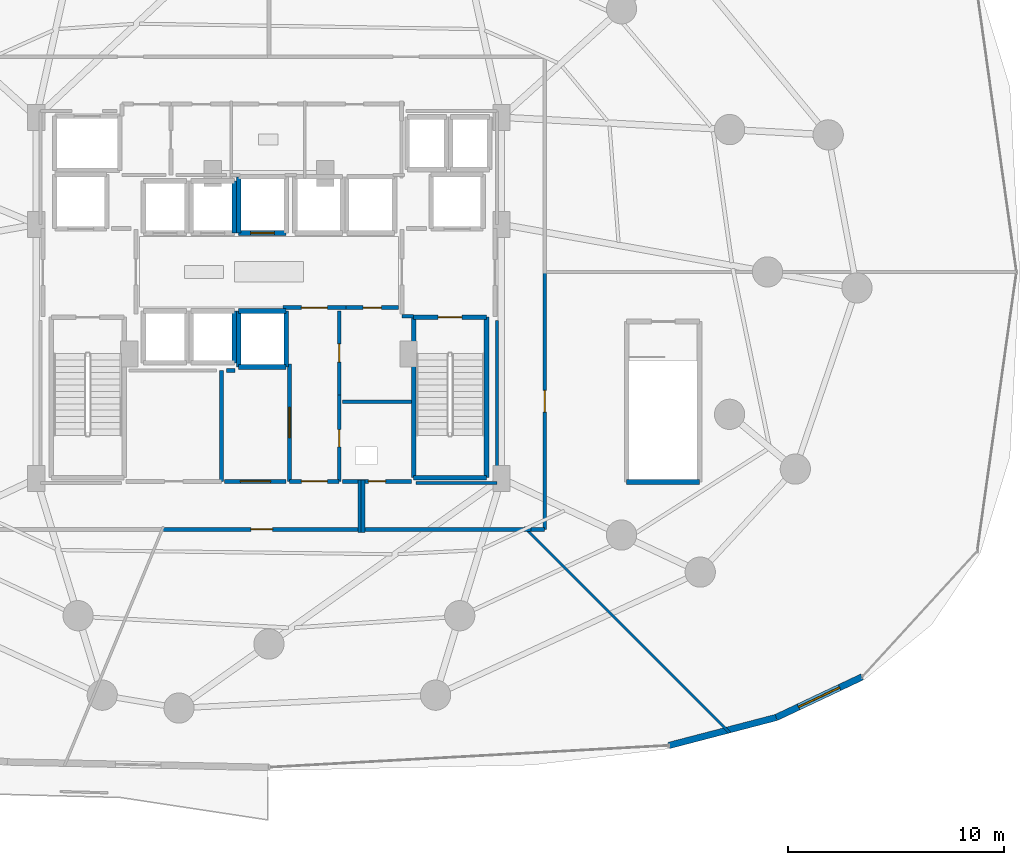
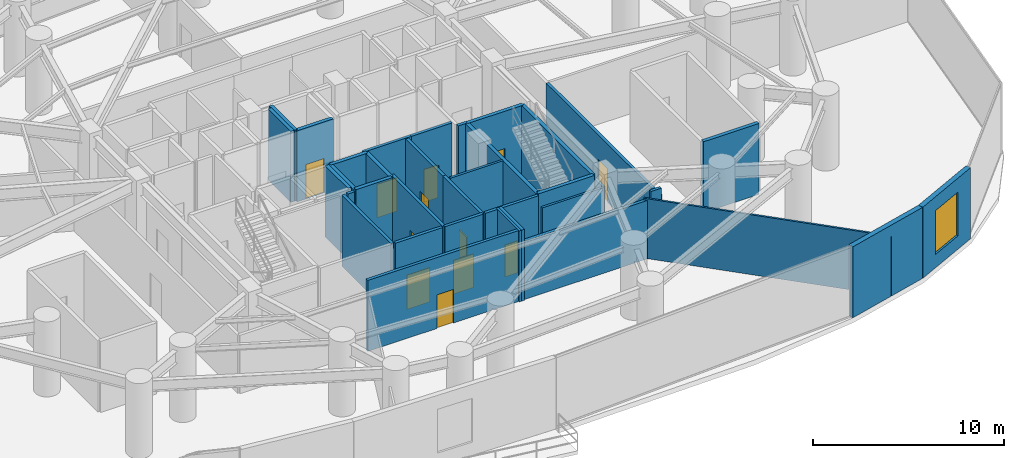
# One storey, part 27 of 32: 36 walls, 12 doors, 1 window, 13 openings.
"""IFC4 building model written with IfcOpenShell, lengths in metres."""

from ifc_helpers import new_model, si_unit, direction, frame, frame_2d, origin, place, context, subcontext, project, spatial, rectangle, extrude, material, layer, layer_set, type_object, element, fill, save


model = new_model("IFC4")

# Units and contexts
model_context = context("Model", 3, precision=1e-05, world=origin(), true_north=direction((0.0, 1.0)))
body_context = subcontext(model_context, "Body", "Model", "MODEL_VIEW")
ifc_project = project(units=[si_unit("LENGTHUNIT", "METRE"), si_unit("AREAUNIT", "SQUARE_METRE"), si_unit("VOLUMEUNIT", "CUBIC_METRE"), si_unit("PLANEANGLEUNIT", "RADIAN"), si_unit("MASSUNIT", "GRAM", prefix="KILO")], contexts=[model_context])

# Site, building, storey
site_placement = place(None, origin())
site = spatial("IfcSite", under=ifc_project, at=site_placement, CompositionType="ELEMENT")
building_placement = place(site_placement, origin())
building = spatial("IfcBuilding", under=site, at=building_placement, Name="Vorneva Point Tower", CompositionType="ELEMENT")
storey_placement = place(building_placement, frame((0.0, 0.0, 19.199951171875)))
storey = spatial("IfcBuildingStorey", under=building, at=storey_placement, Name="L04", CompositionType="ELEMENT", Elevation=19.199951171875)

# Wall
ifc_material_1 = material(Name="Precast concrete B50 (C40/50)", Category="concrete")
ifc_layer_1 = layer(ifc_material_1, 0.300048828125)
ifc_layer_set_1 = layer_set([ifc_layer_1], Name="Precast concrete B50 (C40/50)")
wall_type_1 = type_object("IfcWallType", Name="WL-EXT-300", PredefinedType="STANDARD", material=ifc_layer_set_1)
wall_1_placement = place(storey_placement, frame((56.482421875, 4.107177734375, 0.0), z_axis=(0.0, 0.0, 1.0), x_axis=(0.967631926566, 0.252365716155, 0.0)))
element("IfcWall", 1, at=wall_1_placement, inside=storey, type_object=wall_type_1, Name="L04 Pale-Metal Facade Spandrel Wall 14.1", PredefinedType="STANDARD", context=body_context, shape_type="SweptSolid", body=[
    extrude(rectangle(XDim=5.130126953125, YDim=0.300048828125, at=frame_2d((2.56494140625, 0.0))), origin(), (0.0, 0.0, 1.0), 4.5400390625),
])

# Wall, opening, window
wall_2_placement = place(storey_placement, frame((61.446533203125, 5.40185546875, 0.0), z_axis=(0.0, 0.0, 1.0), x_axis=(0.904206917273, 0.427094662523, 0.0)))
wall_2 = element("IfcWall", 2, at=wall_2_placement, inside=storey, type_object=wall_type_1, Name="L04 Pale-Metal Facade Spandrel Wall 14.2", PredefinedType="STANDARD", context=body_context, shape_type="SweptSolid", body=[
    extrude(rectangle(XDim=4.39306640625, YDim=0.300048828125, at=frame_2d((2.196533203125, 0.0))), origin(), (0.0, 0.0, 1.0), 4.5400390625),
])
opening_1_placement = place(wall_2_placement, frame((1.146484375, 0.0, 0.85009765625)))
opening_1 = element("IfcOpeningElement", 3, at=opening_1_placement, cuts=wall_2, Name="Opening W-05", PredefinedType="OPENING", context=body_context, shape_type="SweptSolid", body=[
    extrude(rectangle(XDim=2.10009765625, YDim=2.800048828125, at=frame_2d((1.050048828125, 1.39990234375))), frame((0.0, 0.1650390625, 0.0), z_axis=(0.0, -1.0, 0.0), x_axis=(1.0, 0.0, 0.0)), (0.0, 0.0, 1.0), 0.329833984375),
])
ifc_material_2 = material(Name="Double low-e laminated glass IGU", Category="glass")
window_type = type_object("IfcWindowType", Name="WN-POD-2100", PartitioningType="SINGLE_PANEL", PredefinedType="WINDOW", material=ifc_material_2)
window_placement = place(opening_1_placement, origin())
window = element("IfcWindow", 4, at=window_placement, inside=storey, type_object=window_type, Name="L04 Facade Window 14", OverallHeight=2.800048828125, OverallWidth=2.10009765625, PartitioningType="SINGLE_PANEL", PredefinedType="WINDOW", context=body_context, shape_type="SweptSolid", body=[
    extrude(rectangle(XDim=2.10009765625, YDim=2.800048828125, at=frame_2d((1.050048828125, 1.39990234375))), frame((0.0, 0.030029296875, 0.0), z_axis=(0.0, -1.0, 0.0), x_axis=(1.0, 0.0, 0.0)), (0.0, 0.0, 1.0), 0.06005859375),
])
fill(opening_1, window)

# Walls
ifc_material_3 = material(Name="Fire-rated acoustic gypsum stud partition", Category="gypsum")
ifc_layer_2 = layer(ifc_material_3, 0.110107421875)
ifc_layer_set_2 = layer_set([ifc_layer_2], Name="Fire-rated acoustic gypsum stud partition")
wall_type_2 = type_object("IfcWallType", Name="WL-PART-110", PredefinedType="PARTITIONING", material=ifc_layer_set_2)
wall_3_placement = place(storey_placement, frame((59.291015625, 4.708984375, 0.0), z_axis=(0.0, 0.0, 1.0), x_axis=(-0.707106781187, 0.707106781187, 0.0)))
element("IfcWall", 5, at=wall_3_placement, inside=storey, type_object=wall_type_2, Name="L04 Interior Partition 042", PredefinedType="PARTITIONING", context=body_context, shape_type="SweptSolid", body=[
    extrude(rectangle(XDim=13.4208984375, YDim=0.110107421875, at=frame_2d((6.71044921875, 0.0))), origin(), (0.0, 0.0, 1.0), 3.8291015625),
])
ifc_layer_3 = layer(ifc_material_3, 0.139892578125)
ifc_layer_set_3 = layer_set([ifc_layer_3], Name="Fire-rated acoustic gypsum stud partition")
wall_type_3 = type_object("IfcWallType", Name="WL-PART-140", PredefinedType="PARTITIONING", material=ifc_layer_set_3)
wall_4_placement = place(storey_placement, frame((44.60009765625, 20.0, 0.0), z_axis=(0.0, 0.0, 1.0), x_axis=(-1.0, 0.0, 0.0)))
element("IfcWall", 6, at=wall_4_placement, inside=storey, type_object=wall_type_3, Name="L04 Interior Partition 015", PredefinedType="PARTITIONING", context=body_context, shape_type="SweptSolid", body=[
    extrude(rectangle(XDim=3.2001953125, YDim=0.139892578125, at=frame_2d((1.60009765625, 0.0))), origin(), (0.0, 0.0, 1.0), 4.5400390625),
])
wall_5_placement = place(storey_placement, frame((48.550048828125, 23.75390625, 0.0), z_axis=(0.0, 0.0, 1.0), x_axis=(0.0, -1.0, 0.0)))
element("IfcWall", 7, at=wall_5_placement, inside=storey, type_object=wall_type_3, Name="L04 Interior Closure Partition 055", PredefinedType="PARTITIONING", context=body_context, shape_type="SweptSolid", body=[
    extrude(rectangle(XDim=7.513916015625, YDim=0.139892578125, at=frame_2d((3.7568359375, 0.0))), origin(), (0.0, 0.0, 1.0), 3.73193359375),
])
wall_6_placement = place(storey_placement, frame((48.550048828125, 16.239990234375, 0.0), z_axis=(0.0, 0.0, 1.0), x_axis=(-1.0, 0.0, 0.0)))
element("IfcWall", 8, at=wall_6_placement, inside=storey, type_object=wall_type_3, Name="L04 Interior Closure Partition 056", PredefinedType="PARTITIONING", context=body_context, shape_type="SweptSolid", body=[
    extrude(rectangle(XDim=3.7451171875, YDim=0.139892578125, at=frame_2d((1.87255859375, 0.0))), origin(), (0.0, 0.0, 1.0), 3.73193359375),
])
ifc_material_4 = material(Name="Autoclaved aerated concrete blockwork", Category="masonry")
ifc_layer_4 = layer(ifc_material_4, 0.179931640625)
ifc_layer_set_4 = layer_set([ifc_layer_4], Name="Autoclaved aerated concrete blockwork")
wall_type_4 = type_object("IfcWallType", Name="WL-PART-180", PredefinedType="PARTITIONING", material=ifc_layer_set_4)
wall_7_placement = place(storey_placement, frame((44.14990234375, 23.949951171875, 0.0), z_axis=(0.0, 0.0, 1.0), x_axis=(1.0, 0.0, 0.0)))
element("IfcWall", 9, at=wall_7_placement, inside=storey, type_object=wall_type_4, Name="L04 Interior Partition 004", PredefinedType="PARTITIONING", context=body_context, shape_type="SweptSolid", body=[
    extrude(rectangle(XDim=0.5400390625, YDim=0.179931640625, at=frame_2d((0.27001953125, 0.0))), origin(), (0.0, 0.0, 1.0), 4.5400390625),
])

# Wall, opening, door
wall_8_placement = place(storey_placement, frame((38.64501953125, 24.35009765625, 0.0), z_axis=(0.0, 0.0, 1.0), x_axis=(1.0, 0.0, 0.0)))
wall_8 = element("IfcWall", 10, at=wall_8_placement, inside=storey, type_object=wall_type_4, Name="L04 Interior Partition 009", PredefinedType="PARTITIONING", context=body_context, shape_type="SweptSolid", body=[
    extrude(rectangle(XDim=2.909912109375, YDim=0.179931640625, at=frame_2d((1.455078125, 0.0))), origin(), (0.0, 0.0, 1.0), 4.5400390625),
])
opening_2_placement = place(wall_8_placement, frame((0.85498046875, 0.0, 0.0)))
opening_2 = element("IfcOpeningElement", 11, at=opening_2_placement, cuts=wall_8, Name="Opening FD-02", PredefinedType="OPENING", context=body_context, shape_type="SweptSolid", body=[
    extrude(rectangle(XDim=1.199951171875, YDim=2.14990234375, at=frame_2d((0.60009765625, 1.074951171875))), frame((0.0, 0.10498046875, 0.0), z_axis=(0.0, -1.0, 0.0), x_axis=(1.0, 0.0, 0.0)), (0.0, 0.0, 1.0), 0.209716796875),
])
ifc_material_5 = material(Name="Fire-rated powder-coated steel", Category="steel")
door_type_1 = type_object("IfcDoorType", Name="DR-FFL-1200", OperationType="NOTDEFINED", PredefinedType="DOOR", material=ifc_material_5)
door_1_placement = place(opening_2_placement, origin())
door_1 = element("IfcDoor", 12, at=door_1_placement, inside=storey, type_object=door_type_1, Name="L04 Door Central Lift Lobby / Core Service Lobby", OperationType="SINGLE_SWING_RIGHT", OverallHeight=2.14990234375, OverallWidth=1.199951171875, PredefinedType="DOOR", context=body_context, shape_type="SweptSolid", body=[
    extrude(rectangle(XDim=1.199951171875, YDim=2.14990234375, at=frame_2d((0.60009765625, 1.074951171875))), frame((0.0, 0.02490234375, 0.0), z_axis=(0.0, -1.0, 0.0), x_axis=(1.0, 0.0, 0.0)), (0.0, 0.0, 1.0), 0.050048828125),
])
fill(opening_2, door_1)

wall_9_placement = place(storey_placement, frame((41.554931640625, 24.35009765625, 0.0), z_axis=(0.0, 0.0, 1.0), x_axis=(1.0, 0.0, 0.0)))
wall_9 = element("IfcWall", 13, at=wall_9_placement, inside=storey, type_object=wall_type_4, Name="L04 Interior Partition 010", PredefinedType="PARTITIONING", context=body_context, shape_type="SweptSolid", body=[
    extrude(rectangle(XDim=2.445068359375, YDim=0.179931640625, at=frame_2d((1.22265625, 0.0))), origin(), (0.0, 0.0, 1.0), 4.5400390625),
])
opening_3_placement = place(wall_9_placement, frame((0.797607421875, 0.0, 0.0)))
opening_3 = element("IfcOpeningElement", 14, at=opening_3_placement, cuts=wall_9, Name="Opening ID-02", PredefinedType="OPENING", context=body_context, shape_type="SweptSolid", body=[
    extrude(rectangle(XDim=0.85009765625, YDim=2.10009765625, at=frame_2d((0.425048828125, 1.050048828125))), frame((0.0, 0.10498046875, 0.0), z_axis=(0.0, -1.0, 0.0), x_axis=(1.0, 0.0, 0.0)), (0.0, 0.0, 1.0), 0.209716796875),
])
ifc_material_6 = material(Name="Engineered oak fire-rated door leaf", Category="wood")
door_type_2 = type_object("IfcDoorType", Name="DR-BATH-850", OperationType="NOTDEFINED", PredefinedType="DOOR", material=ifc_material_6)
door_2_placement = place(opening_3_placement, origin())
door_2 = element("IfcDoor", 15, at=door_2_placement, inside=storey, type_object=door_type_2, Name="L04 Door Central Lift Lobby / Valet and Parcel Room", OperationType="SINGLE_SWING_LEFT", OverallHeight=2.10009765625, OverallWidth=0.85009765625, PredefinedType="DOOR", context=body_context, shape_type="SweptSolid", body=[
    extrude(rectangle(XDim=0.85009765625, YDim=2.10009765625, at=frame_2d((0.425048828125, 1.050048828125))), frame((0.0, 0.02490234375, 0.0), z_axis=(0.0, -1.0, 0.0), x_axis=(1.0, 0.0, 0.0)), (0.0, 0.0, 1.0), 0.050048828125),
])
fill(opening_3, door_2)

wall_10_placement = place(storey_placement, frame((41.25, 16.320068359375, 0.0), z_axis=(0.0, 0.0, 1.0), x_axis=(0.0, 1.0, 0.0)))
wall_10 = element("IfcWall", 16, at=wall_10_placement, inside=storey, type_object=wall_type_4, Name="L04 Interior Partition 011", PredefinedType="PARTITIONING", context=body_context, shape_type="SweptSolid", body=[
    extrude(rectangle(XDim=3.98486328125, YDim=0.179931640625, at=frame_2d((1.992431640625, 0.0))), origin(), (0.0, 0.0, 1.0), 4.5400390625),
])
opening_4_placement = place(wall_10_placement, frame((1.592529296875, 0.0, 0.0)))
opening_4 = element("IfcOpeningElement", 17, at=opening_4_placement, cuts=wall_10, Name="Opening RD-01", PredefinedType="OPENING", context=body_context, shape_type="SweptSolid", body=[
    extrude(rectangle(XDim=0.800048828125, YDim=2.050048828125, at=frame_2d((0.39990234375, 1.02490234375))), frame((0.0, 0.10498046875, 0.0), z_axis=(0.0, -1.0, 0.0), x_axis=(1.0, 0.0, 0.0)), (0.0, 0.0, 1.0), 0.209716796875),
])
door_type_3 = type_object("IfcDoorType", Name="DR-RSR-800", OperationType="SINGLE_SWING_LEFT", PredefinedType="DOOR", material=ifc_material_5)
door_3_placement = place(opening_4_placement, origin())
door_3 = element("IfcDoor", 18, at=door_3_placement, inside=storey, type_object=door_type_3, Name="L04 Door Core Service Lobby / Electrical Riser", OperationType="SINGLE_SWING_RIGHT", OverallHeight=2.050048828125, OverallWidth=0.800048828125, PredefinedType="DOOR", context=body_context, shape_type="SweptSolid", body=[
    extrude(rectangle(XDim=0.800048828125, YDim=2.050048828125, at=frame_2d((0.39990234375, 1.02490234375))), frame((0.0, 0.02490234375, 0.0), z_axis=(0.0, -1.0, 0.0), x_axis=(1.0, 0.0, 0.0)), (0.0, 0.0, 1.0), 0.050048828125),
])
fill(opening_4, door_3)

wall_11_placement = place(storey_placement, frame((41.25, 20.304931640625, 0.0), z_axis=(0.0, 0.0, 1.0), x_axis=(0.0, 1.0, 0.0)))
wall_11 = element("IfcWall", 19, at=wall_11_placement, inside=storey, type_object=wall_type_4, Name="L04 Interior Partition 012", PredefinedType="PARTITIONING", context=body_context, shape_type="SweptSolid", body=[
    extrude(rectangle(XDim=3.89501953125, YDim=0.179931640625, at=frame_2d((1.947509765625, 0.0))), origin(), (0.0, 0.0, 1.0), 4.5400390625),
])
opening_5_placement = place(wall_11_placement, frame((1.5224609375, 0.0, 0.0)))
opening_5 = element("IfcOpeningElement", 20, at=opening_5_placement, cuts=wall_11, Name="Opening ID-02", PredefinedType="OPENING", context=body_context, shape_type="SweptSolid", body=[
    extrude(rectangle(XDim=0.85009765625, YDim=2.10009765625, at=frame_2d((0.425048828125, 1.050048828125))), frame((0.0, 0.10498046875, 0.0), z_axis=(0.0, -1.0, 0.0), x_axis=(1.0, 0.0, 0.0)), (0.0, 0.0, 1.0), 0.209716796875),
])
door_4_placement = place(opening_5_placement, origin())
door_4 = element("IfcDoor", 21, at=door_4_placement, inside=storey, type_object=door_type_2, Name="L04 Door Core Service Lobby / Valet and Parcel Room", OperationType="SINGLE_SWING_LEFT", OverallHeight=2.10009765625, OverallWidth=0.85009765625, PredefinedType="DOOR", context=body_context, shape_type="SweptSolid", body=[
    extrude(rectangle(XDim=0.85009765625, YDim=2.10009765625, at=frame_2d((0.425048828125, 1.050048828125))), frame((0.0, 0.02490234375, 0.0), z_axis=(0.0, -1.0, 0.0), x_axis=(1.0, 0.0, 0.0)), (0.0, 0.0, 1.0), 0.050048828125),
])
fill(opening_5, door_4)

wall_12_placement = place(storey_placement, frame((38.949951171875, 21.7548828125, 0.0), z_axis=(0.0, 0.0, 1.0), x_axis=(0.0, -1.0, 0.0)))
wall_12 = element("IfcWall", 22, at=wall_12_placement, inside=storey, type_object=wall_type_4, Name="L04 Interior Partition 013", PredefinedType="PARTITIONING", context=body_context, shape_type="SweptSolid", body=[
    extrude(rectangle(XDim=5.434814453125, YDim=0.179931640625, at=frame_2d((2.71728515625, 0.0))), origin(), (0.0, 0.0, 1.0), 4.5400390625),
])
opening_6_placement = place(wall_12_placement, frame((2.017578125, 0.0, 0.0)))
opening_6 = element("IfcOpeningElement", 23, at=opening_6_placement, cuts=wall_12, Name="Opening FD-03", PredefinedType="OPENING", context=body_context, shape_type="SweptSolid", body=[
    extrude(rectangle(XDim=1.39990234375, YDim=2.199951171875, at=frame_2d((0.699951171875, 1.10009765625))), frame((0.0, 0.10498046875, 0.0), z_axis=(0.0, -1.0, 0.0), x_axis=(1.0, 0.0, 0.0)), (0.0, 0.0, 1.0), 0.209716796875),
])
door_type_4 = type_object("IfcDoorType", Name="DR-PLT-1400", OperationType="DOUBLE_SWING_LEFT", PredefinedType="DOOR", material=ifc_material_5)
door_5_placement = place(opening_6_placement, origin())
door_5 = element("IfcDoor", 24, at=door_5_placement, inside=storey, type_object=door_type_4, Name="L04 Door Core Service Lobby / Telecoms and Data Room", OperationType="DOUBLE_SWING_LEFT", OverallHeight=2.199951171875, OverallWidth=1.39990234375, PredefinedType="DOOR", context=body_context, shape_type="SweptSolid", body=[
    extrude(rectangle(XDim=1.39990234375, YDim=2.199951171875, at=frame_2d((0.699951171875, 1.10009765625))), frame((0.0, 0.02490234375, 0.0), z_axis=(0.0, -1.0, 0.0), x_axis=(1.0, 0.0, 0.0)), (0.0, 0.0, 1.0), 0.050048828125),
])
fill(opening_6, door_5)

wall_13_placement = place(storey_placement, frame((38.949951171875, 16.320068359375, 0.0), z_axis=(0.0, 0.0, 1.0), x_axis=(1.0, 0.0, 0.0)))
wall_13 = element("IfcWall", 25, at=wall_13_placement, inside=storey, type_object=wall_type_4, Name="L04 Interior Partition 014", PredefinedType="PARTITIONING", context=body_context, shape_type="SweptSolid", body=[
    extrude(rectangle(XDim=2.300048828125, YDim=0.179931640625, at=frame_2d((1.14990234375, 0.0))), origin(), (0.0, 0.0, 1.0), 4.5400390625),
])
opening_7_placement = place(wall_13_placement, frame((0.550048828125, 0.0, 0.0)))
opening_7 = element("IfcOpeningElement", 26, at=opening_7_placement, cuts=wall_13, Name="Opening FD-02", PredefinedType="OPENING", context=body_context, shape_type="SweptSolid", body=[
    extrude(rectangle(XDim=1.199951171875, YDim=2.14990234375, at=frame_2d((0.60009765625, 1.074951171875))), frame((0.0, 0.10498046875, 0.0), z_axis=(0.0, -1.0, 0.0), x_axis=(1.0, 0.0, 0.0)), (0.0, 0.0, 1.0), 0.209716796875),
])
door_6_placement = place(opening_7_placement, origin())
door_6 = element("IfcDoor", 27, at=door_6_placement, inside=storey, type_object=door_type_1, Name="L04 Door Core Service Lobby / L04 Circulation Corridor", OperationType="SINGLE_SWING_LEFT", OverallHeight=2.14990234375, OverallWidth=1.199951171875, PredefinedType="DOOR", context=body_context, shape_type="SweptSolid", body=[
    extrude(rectangle(XDim=1.199951171875, YDim=2.14990234375, at=frame_2d((0.60009765625, 1.074951171875))), frame((0.0, 0.02490234375, 0.0), z_axis=(0.0, -1.0, 0.0), x_axis=(1.0, 0.0, 0.0)), (0.0, 0.0, 1.0), 0.050048828125),
])
fill(opening_7, door_6)

wall_14_placement = place(storey_placement, frame((41.39990234375, 16.320068359375, 0.0), z_axis=(0.0, 0.0, 1.0), x_axis=(1.0, 0.0, 0.0)))
wall_14 = element("IfcWall", 28, at=wall_14_placement, inside=storey, type_object=wall_type_4, Name="L04 Interior Partition 016", PredefinedType="PARTITIONING", context=body_context, shape_type="SweptSolid", body=[
    extrude(rectangle(XDim=3.2001953125, YDim=0.179931640625, at=frame_2d((1.60009765625, 0.0))), origin(), (0.0, 0.0, 1.0), 4.5400390625),
])
opening_8_placement = place(wall_14_placement, frame((1.199951171875, 0.0, 0.0)))
opening_8 = element("IfcOpeningElement", 29, at=opening_8_placement, cuts=wall_14, Name="Opening RD-01", PredefinedType="OPENING", context=body_context, shape_type="SweptSolid", body=[
    extrude(rectangle(XDim=0.800048828125, YDim=2.050048828125, at=frame_2d((0.39990234375, 1.02490234375))), frame((0.0, 0.10498046875, 0.0), z_axis=(0.0, -1.0, 0.0), x_axis=(1.0, 0.0, 0.0)), (0.0, 0.0, 1.0), 0.209716796875),
])
door_7_placement = place(opening_8_placement, origin())
door_7 = element("IfcDoor", 30, at=door_7_placement, inside=storey, type_object=door_type_3, Name="L04 Door Electrical Riser / L04 Circulation Corridor", OperationType="SINGLE_SWING_RIGHT", OverallHeight=2.050048828125, OverallWidth=0.800048828125, PredefinedType="DOOR", context=body_context, shape_type="SweptSolid", body=[
    extrude(rectangle(XDim=0.800048828125, YDim=2.050048828125, at=frame_2d((0.39990234375, 1.02490234375))), frame((0.0, 0.02490234375, 0.0), z_axis=(0.0, -1.0, 0.0), x_axis=(1.0, 0.0, 0.0)), (0.0, 0.0, 1.0), 0.050048828125),
])
fill(opening_8, door_7)

# Wall
wall_15_placement = place(storey_placement, frame((35.800048828125, 16.320068359375, 0.0), z_axis=(0.0, 0.0, 1.0), x_axis=(0.0, 1.0, 0.0)))
element("IfcWall", 31, at=wall_15_placement, inside=storey, type_object=wall_type_4, Name="L04 Interior Partition 023", PredefinedType="PARTITIONING", context=body_context, shape_type="SweptSolid", body=[
    extrude(rectangle(XDim=5.1298828125, YDim=0.179931640625, at=frame_2d((2.56494140625, 0.0))), origin(), (0.0, 0.0, 1.0), 4.5400390625),
])

# Wall, opening, door
wall_16_placement = place(storey_placement, frame((35.949951171875, 16.320068359375, 0.0), z_axis=(0.0, 0.0, 1.0), x_axis=(1.0, 0.0, 0.0)))
wall_16 = element("IfcWall", 32, at=wall_16_placement, inside=storey, type_object=wall_type_4, Name="L04 Interior Partition 025", PredefinedType="PARTITIONING", context=body_context, shape_type="SweptSolid", body=[
    extrude(rectangle(XDim=2.85009765625, YDim=0.179931640625, at=frame_2d((1.425048828125, 0.0))), origin(), (0.0, 0.0, 1.0), 4.5400390625),
])
opening_9_placement = place(wall_16_placement, frame((0.72509765625, 0.0, 0.0)))
opening_9 = element("IfcOpeningElement", 33, at=opening_9_placement, cuts=wall_16, Name="Opening FD-03", PredefinedType="OPENING", context=body_context, shape_type="SweptSolid", body=[
    extrude(rectangle(XDim=1.39990234375, YDim=2.199951171875, at=frame_2d((0.699951171875, 1.10009765625))), frame((0.0, 0.10498046875, 0.0), z_axis=(0.0, -1.0, 0.0), x_axis=(1.0, 0.0, 0.0)), (0.0, 0.0, 1.0), 0.209716796875),
])
door_8_placement = place(opening_9_placement, origin())
door_8 = element("IfcDoor", 34, at=door_8_placement, inside=storey, type_object=door_type_4, Name="L04 Door Telecoms and Data Room / L04 Circulation Corridor", OperationType="DOUBLE_SWING_LEFT", OverallHeight=2.199951171875, OverallWidth=1.39990234375, PredefinedType="DOOR", context=body_context, shape_type="SweptSolid", body=[
    extrude(rectangle(XDim=1.39990234375, YDim=2.199951171875, at=frame_2d((0.699951171875, 1.10009765625))), frame((0.0, 0.02490234375, 0.0), z_axis=(0.0, -1.0, 0.0), x_axis=(1.0, 0.0, 0.0)), (0.0, 0.0, 1.0), 0.050048828125),
])
fill(opening_9, door_8)

# Walls
wall_17_placement = place(storey_placement, frame((42.340087890625, 16.3798828125, 0.0), z_axis=(0.0, 0.0, 1.0), x_axis=(0.0, -1.0, 0.0)))
element("IfcWall", 35, at=wall_17_placement, inside=storey, type_object=wall_type_4, Name="L04 Interior Partition 032", PredefinedType="PARTITIONING", context=body_context, shape_type="SweptSolid", body=[
    extrude(rectangle(XDim=2.419921875, YDim=0.179931640625, at=frame_2d((1.2099609375, 0.0))), origin(), (0.0, 0.0, 1.0), 4.5400390625),
])
wall_18_placement = place(storey_placement, frame((42.199951171875, 14.10009765625, 0.0), z_axis=(0.0, 0.0, 1.0), x_axis=(1.0, 0.0, 0.0)))
element("IfcWall", 36, at=wall_18_placement, inside=storey, type_object=wall_type_4, Name="L04 Interior Partition 033", PredefinedType="PARTITIONING", context=body_context, shape_type="SweptSolid", body=[
    extrude(rectangle(XDim=7.925048828125, YDim=0.179931640625, at=frame_2d((3.96240234375, 0.0))), origin(), (0.0, 0.0, 1.0), 3.73193359375),
])

# Wall, opening, door
wall_19_placement = place(storey_placement, frame((32.990966796875, 14.10009765625, 0.0), z_axis=(0.0, 0.0, 1.0), x_axis=(1.0, 0.0, 0.0)))
wall_19 = element("IfcWall", 37, at=wall_19_placement, inside=storey, type_object=wall_type_4, Name="L04 Interior Partition 034", PredefinedType="PARTITIONING", context=body_context, shape_type="SweptSolid", body=[
    extrude(rectangle(XDim=9.34912109375, YDim=0.179931640625, at=frame_2d((4.674560546875, 0.0))), origin(), (0.0, 0.0, 1.0), 4.5400390625),
])
opening_10_placement = place(wall_19_placement, frame((4.174560546875, 0.0, 0.0)))
opening_10 = element("IfcOpeningElement", 38, at=opening_10_placement, cuts=wall_19, Name="Opening UD-01", PredefinedType="OPENING", context=body_context, shape_type="SweptSolid", body=[
    extrude(rectangle(XDim=1.0, YDim=2.14990234375, at=frame_2d((0.5, 1.074951171875))), frame((0.0, 0.10498046875, 0.0), z_axis=(0.0, -1.0, 0.0), x_axis=(1.0, 0.0, 0.0)), (0.0, 0.0, 1.0), 0.209716796875),
])
door_type_5 = type_object("IfcDoorType", Name="DR-UNIT-1000", OperationType="NOTDEFINED", PredefinedType="DOOR", material=ifc_material_6)
door_9_placement = place(opening_10_placement, origin())
door_9 = element("IfcDoor", 39, at=door_9_placement, inside=storey, type_object=door_type_5, Name="L04 Door L04 Circulation Corridor / Banquet Catering Kitchen L04", OperationType="SINGLE_SWING_LEFT", OverallHeight=2.14990234375, OverallWidth=1.0, PredefinedType="DOOR", context=body_context, shape_type="SweptSolid", body=[
    extrude(rectangle(XDim=1.0, YDim=2.14990234375, at=frame_2d((0.5, 1.074951171875))), frame((0.0, 0.02490234375, 0.0), z_axis=(0.0, -1.0, 0.0), x_axis=(1.0, 0.0, 0.0)), (0.0, 0.0, 1.0), 0.050048828125),
])
fill(opening_10, door_9)

# Walls
wall_20_placement = place(storey_placement, frame((42.199951171875, 13.9599609375, 0.0), z_axis=(0.0, 0.0, 1.0), x_axis=(0.0, 1.0, 0.0)))
element("IfcWall", 40, at=wall_20_placement, inside=storey, type_object=wall_type_4, Name="L04 Interior Partition 035", PredefinedType="PARTITIONING", context=body_context, shape_type="SweptSolid", body=[
    extrude(rectangle(XDim=2.419921875, YDim=0.179931640625, at=frame_2d((1.2099609375, 0.0))), origin(), (0.0, 0.0, 1.0), 4.5400390625),
])
wall_21_placement = place(storey_placement, frame((50.125, 14.10009765625, 0.0), z_axis=(0.0, 0.0, 1.0), x_axis=(1.0, 0.0, 0.0)))
element("IfcWall", 41, at=wall_21_placement, inside=storey, type_object=wall_type_4, Name="L04 Interior Partition 036", PredefinedType="PARTITIONING", context=body_context, shape_type="SweptSolid", body=[
    extrude(rectangle(XDim=0.625, YDim=0.179931640625, at=frame_2d((0.3125, 0.0))), origin(), (0.0, 0.0, 1.0), 4.22216796875),
])

# Wall, opening, door
wall_22_placement = place(storey_placement, frame((50.75, 14.10009765625, 0.0), z_axis=(0.0, 0.0, 1.0), x_axis=(0.0, 1.0, 0.0)))
wall_22 = element("IfcWall", 42, at=wall_22_placement, inside=storey, type_object=wall_type_4, Name="L04 Interior Partition 037", PredefinedType="PARTITIONING", context=body_context, shape_type="SweptSolid", body=[
    extrude(rectangle(XDim=11.83984375, YDim=0.179931640625, at=frame_2d((5.919921875, 0.0))), origin(), (0.0, 0.0, 1.0), 3.73193359375),
])
opening_11_placement = place(wall_22_placement, frame((5.419921875, 0.0, 0.0)))
opening_11 = element("IfcOpeningElement", 43, at=opening_11_placement, cuts=wall_22, Name="Opening UD-01", PredefinedType="OPENING", context=body_context, shape_type="SweptSolid", body=[
    extrude(rectangle(XDim=1.0, YDim=2.14990234375, at=frame_2d((0.5, 1.074951171875))), frame((0.0, 0.10498046875, 0.0), z_axis=(0.0, -1.0, 0.0), x_axis=(1.0, 0.0, 0.0)), (0.0, 0.0, 1.0), 0.209716796875),
])
door_10_placement = place(opening_11_placement, origin())
door_10 = element("IfcDoor", 44, at=door_10_placement, inside=storey, type_object=door_type_5, Name="L04 Door L04 Circulation Corridor / VIP Boardroom L04", OperationType="SINGLE_SWING_RIGHT", OverallHeight=2.14990234375, OverallWidth=1.0, PredefinedType="DOOR", context=body_context, shape_type="SweptSolid", body=[
    extrude(rectangle(XDim=1.0, YDim=2.14990234375, at=frame_2d((0.5, 1.074951171875))), frame((0.0, 0.02490234375, 0.0), z_axis=(0.0, -1.0, 0.0), x_axis=(1.0, 0.0, 0.0)), (0.0, 0.0, 1.0), 0.050048828125),
])
fill(opening_11, door_10)

# Wall
wall_23_placement = place(storey_placement, frame((36.43896484375, 21.449951171875, 0.0), z_axis=(0.0, 0.0, 1.0), x_axis=(-1.0, 0.0, 0.0)))
element("IfcWall", 45, at=wall_23_placement, inside=storey, type_object=wall_type_4, Name="L04 Interior Closure Partition 052", PredefinedType="PARTITIONING", context=body_context, shape_type="SweptSolid", body=[
    extrude(rectangle(XDim=0.408935546875, YDim=0.179931640625, at=frame_2d((0.20458984375, 0.0))), origin(), (0.0, 0.0, 1.0), 4.5400390625),
])

# Wall, opening, door
ifc_material_7 = material(Name="Concrete B50 (C40/50)", Category="concrete")
ifc_layer_5 = layer(ifc_material_7, 0.219970703125)
ifc_layer_set_5 = layer_set([ifc_layer_5], Name="Concrete B50 (C40/50)")
wall_type_5 = type_object("IfcWallType", Name="WL-SHFT-220", PredefinedType="SOLIDWALL", material=ifc_layer_set_5)
wall_24_placement = place(storey_placement, frame((44.68994140625, 23.909912109375, 0.0), z_axis=(0.0, 0.0, 1.0), x_axis=(1.0, 0.0, 0.0)))
wall_24 = element("IfcWall", 46, at=wall_24_placement, inside=storey, type_object=wall_type_5, Name="L04 Exit Stair ST2 Shaft Wall near", PredefinedType="SOLIDWALL", context=body_context, shape_type="SweptSolid", body=[
    extrude(rectangle(XDim=3.3701171875, YDim=0.219970703125, at=frame_2d((1.68505859375, 0.0))), origin(), (0.0, 0.0, 1.0), 4.5400390625),
])
opening_12_placement = place(wall_24_placement, frame((1.135009765625, 0.0, 0.0)))
opening_12 = element("IfcOpeningElement", 47, at=opening_12_placement, cuts=wall_24, Name="Opening FD-01", PredefinedType="OPENING", context=body_context, shape_type="SweptSolid", body=[
    extrude(rectangle(XDim=1.10009765625, YDim=2.14990234375, at=frame_2d((0.550048828125, 1.074951171875))), frame((0.0, 0.125, 0.0), z_axis=(0.0, -1.0, 0.0), x_axis=(1.0, 0.0, 0.0)), (0.0, 0.0, 1.0), 0.249755859375),
])
door_type_6 = type_object("IfcDoorType", Name="DR-STAIR-1100", OperationType="NOTDEFINED", PredefinedType="DOOR", material=ifc_material_5)
door_11_placement = place(opening_12_placement, origin())
door_11 = element("IfcDoor", 48, at=door_11_placement, inside=storey, type_object=door_type_6, Name="L04 Exit Stair ST2 Fire Door", OperationType="SINGLE_SWING_LEFT", OverallHeight=2.14990234375, OverallWidth=1.10009765625, PredefinedType="DOOR", context=body_context, shape_type="SweptSolid", body=[
    extrude(rectangle(XDim=1.10009765625, YDim=2.14990234375, at=frame_2d((0.550048828125, 1.074951171875))), frame((0.0, 0.02490234375, 0.0), z_axis=(0.0, -1.0, 0.0), x_axis=(1.0, 0.0, 0.0)), (0.0, 0.0, 1.0), 0.050048828125),
])
fill(opening_12, door_11)

# Walls
wall_25_placement = place(storey_placement, frame((48.06005859375, 23.909912109375, 0.0), z_axis=(0.0, 0.0, 1.0), x_axis=(0.0, -1.0, 0.0)))
element("IfcWall", 49, at=wall_25_placement, inside=storey, type_object=wall_type_5, Name="L04 Exit Stair ST2 Shaft Wall right", PredefinedType="SOLIDWALL", context=body_context, shape_type="SweptSolid", body=[
    extrude(rectangle(XDim=7.419921875, YDim=0.219970703125, at=frame_2d((3.7099609375, 0.0))), origin(), (0.0, 0.0, 1.0), 4.5400390625),
])
wall_26_placement = place(storey_placement, frame((48.06005859375, 16.489990234375, 0.0), z_axis=(0.0, 0.0, 1.0), x_axis=(-1.0, 0.0, 0.0)))
element("IfcWall", 50, at=wall_26_placement, inside=storey, type_object=wall_type_5, Name="L04 Exit Stair ST2 Shaft Wall far", PredefinedType="SOLIDWALL", context=body_context, shape_type="SweptSolid", body=[
    extrude(rectangle(XDim=3.3701171875, YDim=0.219970703125, at=frame_2d((1.68505859375, 0.0))), origin(), (0.0, 0.0, 1.0), 4.5400390625),
])
wall_27_placement = place(storey_placement, frame((44.68994140625, 16.489990234375, 0.0), z_axis=(0.0, 0.0, 1.0), x_axis=(0.0, 1.0, 0.0)))
element("IfcWall", 51, at=wall_27_placement, inside=storey, type_object=wall_type_5, Name="L04 Exit Stair ST2 Shaft Wall left", PredefinedType="SOLIDWALL", context=body_context, shape_type="SweptSolid", body=[
    extrude(rectangle(XDim=7.419921875, YDim=0.219970703125, at=frame_2d((3.7099609375, 0.0))), origin(), (0.0, 0.0, 1.0), 4.5400390625),
])
wall_28_placement = place(storey_placement, frame((57.909912109375, 16.2900390625, 0.0), z_axis=(0.0, 0.0, 1.0), x_axis=(-1.0, 0.0, 0.0)))
element("IfcWall", 52, at=wall_28_placement, inside=storey, type_object=wall_type_5, Name="L04 Exit Stair ST4 Shaft Wall far", PredefinedType="SOLIDWALL", context=body_context, shape_type="SweptSolid", body=[
    extrude(rectangle(XDim=3.369873046875, YDim=0.219970703125, at=frame_2d((1.68505859375, 0.0))), origin(), (0.0, 0.0, 1.0), 4.5400390625),
])
wall_29_placement = place(storey_placement, frame((36.39990234375, 27.800048828125, 0.0), z_axis=(0.0, 0.0, 1.0), x_axis=(0.0, 1.0, 0.0)))
element("IfcWall", 53, at=wall_29_placement, inside=storey, type_object=wall_type_5, Name="L04 Lift PL2 Shaft Wall +X", PredefinedType="SOLIDWALL", context=body_context, shape_type="SweptSolid", body=[
    extrude(rectangle(XDim=2.39990234375, YDim=0.219970703125, at=frame_2d((1.199951171875, 0.0))), origin(), (0.0, 0.0, 1.0), 4.5400390625),
])

# Wall, opening, door
wall_30_placement = place(storey_placement, frame((36.60009765625, 27.800048828125, 0.0), z_axis=(0.0, 0.0, 1.0), x_axis=(1.0, 0.0, 0.0)))
wall_30 = element("IfcWall", 54, at=wall_30_placement, inside=storey, type_object=wall_type_5, Name="L04 Lift PL3 Shaft Wall -Y", PredefinedType="SOLIDWALL", context=body_context, shape_type="SweptSolid", body=[
    extrude(rectangle(XDim=2.199951171875, YDim=0.219970703125, at=frame_2d((1.10009765625, 0.0))), origin(), (0.0, 0.0, 1.0), 4.5400390625),
])
opening_13_placement = place(wall_30_placement, frame((0.550048828125, 0.0, 0.0)))
opening_13 = element("IfcOpeningElement", 55, at=opening_13_placement, cuts=wall_30, Name="Opening LD-01", PredefinedType="OPENING", context=body_context, shape_type="SweptSolid", body=[
    extrude(rectangle(XDim=1.10009765625, YDim=2.199951171875, at=frame_2d((0.550048828125, 1.10009765625))), frame((0.0, 0.125, 0.0), z_axis=(0.0, -1.0, 0.0), x_axis=(1.0, 0.0, 0.0)), (0.0, 0.0, 1.0), 0.249755859375),
])
ifc_material_8 = material(Name="Brushed stainless steel S304", Category="steel")
door_type_7 = type_object("IfcDoorType", Name="LD-PASS-1100", OperationType="SLIDING_TO_LEFT", PredefinedType="DOOR", material=ifc_material_8)
door_12_placement = place(opening_13_placement, origin())
door_12 = element("IfcDoor", 56, at=door_12_placement, inside=storey, type_object=door_type_7, Name="L04 Lift PL3 Sliding Landing Door", OperationType="SLIDING_TO_LEFT", OverallHeight=2.199951171875, OverallWidth=1.10009765625, PredefinedType="DOOR", context=body_context, shape_type="SweptSolid", body=[
    extrude(rectangle(XDim=1.10009765625, YDim=2.199951171875, at=frame_2d((0.550048828125, 1.10009765625))), frame((0.0, 0.02490234375, 0.0), z_axis=(0.0, -1.0, 0.0), x_axis=(1.0, 0.0, 0.0)), (0.0, 0.0, 1.0), 0.050048828125),
])
fill(opening_13, door_12)

# Walls
wall_31_placement = place(storey_placement, frame((36.60009765625, 30.39990234375, 0.0), z_axis=(0.0, 0.0, 1.0), x_axis=(0.0, -1.0, 0.0)))
element("IfcWall", 57, at=wall_31_placement, inside=storey, type_object=wall_type_5, Name="L04 Lift PL3 Shaft Wall -X", PredefinedType="SOLIDWALL", context=body_context, shape_type="SweptSolid", body=[
    extrude(rectangle(XDim=2.599853515625, YDim=0.219970703125, at=frame_2d((1.2998046875, 0.0))), origin(), (0.0, 0.0, 1.0), 4.5400390625),
])
wall_32_placement = place(storey_placement, frame((36.39990234375, 21.800048828125, 0.0), z_axis=(0.0, 0.0, 1.0), x_axis=(0.0, 1.0, 0.0)))
element("IfcWall", 58, at=wall_32_placement, inside=storey, type_object=wall_type_5, Name="L04 Lift PL5 Shaft Wall +X", PredefinedType="SOLIDWALL", context=body_context, shape_type="SweptSolid", body=[
    extrude(rectangle(XDim=2.39990234375, YDim=0.219970703125, at=frame_2d((1.199951171875, 0.0))), origin(), (0.0, 0.0, 1.0), 4.5400390625),
])
wall_33_placement = place(storey_placement, frame((36.60009765625, 21.60009765625, 0.0), z_axis=(0.0, 0.0, 1.0), x_axis=(1.0, 0.0, 0.0)))
element("IfcWall", 59, at=wall_33_placement, inside=storey, type_object=wall_type_5, Name="L04 Lift PL6 Shaft Wall -Y", PredefinedType="SOLIDWALL", context=body_context, shape_type="SweptSolid", body=[
    extrude(rectangle(XDim=2.199951171875, YDim=0.219970703125, at=frame_2d((1.10009765625, 0.0))), origin(), (0.0, 0.0, 1.0), 4.5400390625),
])
wall_34_placement = place(storey_placement, frame((38.800048828125, 21.60009765625, 0.0), z_axis=(0.0, 0.0, 1.0), x_axis=(0.0, 1.0, 0.0)))
element("IfcWall", 60, at=wall_34_placement, inside=storey, type_object=wall_type_5, Name="L04 Lift PL6 Shaft Wall +X", PredefinedType="SOLIDWALL", context=body_context, shape_type="SweptSolid", body=[
    extrude(rectangle(XDim=2.599853515625, YDim=0.219970703125, at=frame_2d((1.2998046875, 0.0))), origin(), (0.0, 0.0, 1.0), 4.5400390625),
])
wall_35_placement = place(storey_placement, frame((38.800048828125, 24.199951171875, 0.0), z_axis=(0.0, 0.0, 1.0), x_axis=(-1.0, 0.0, 0.0)))
element("IfcWall", 61, at=wall_35_placement, inside=storey, type_object=wall_type_5, Name="L04 Lift PL6 Shaft Wall +Y", PredefinedType="SOLIDWALL", context=body_context, shape_type="SweptSolid", body=[
    extrude(rectangle(XDim=2.199951171875, YDim=0.219970703125, at=frame_2d((1.10009765625, 0.0))), origin(), (0.0, 0.0, 1.0), 4.5400390625),
])
wall_36_placement = place(storey_placement, frame((36.60009765625, 24.199951171875, 0.0), z_axis=(0.0, 0.0, 1.0), x_axis=(0.0, -1.0, 0.0)))
element("IfcWall", 62, at=wall_36_placement, inside=storey, type_object=wall_type_5, Name="L04 Lift PL6 Shaft Wall -X", PredefinedType="SOLIDWALL", context=body_context, shape_type="SweptSolid", body=[
    extrude(rectangle(XDim=2.599853515625, YDim=0.219970703125, at=frame_2d((1.2998046875, 0.0))), origin(), (0.0, 0.0, 1.0), 4.5400390625),
])

save(model, "model.ifc")
